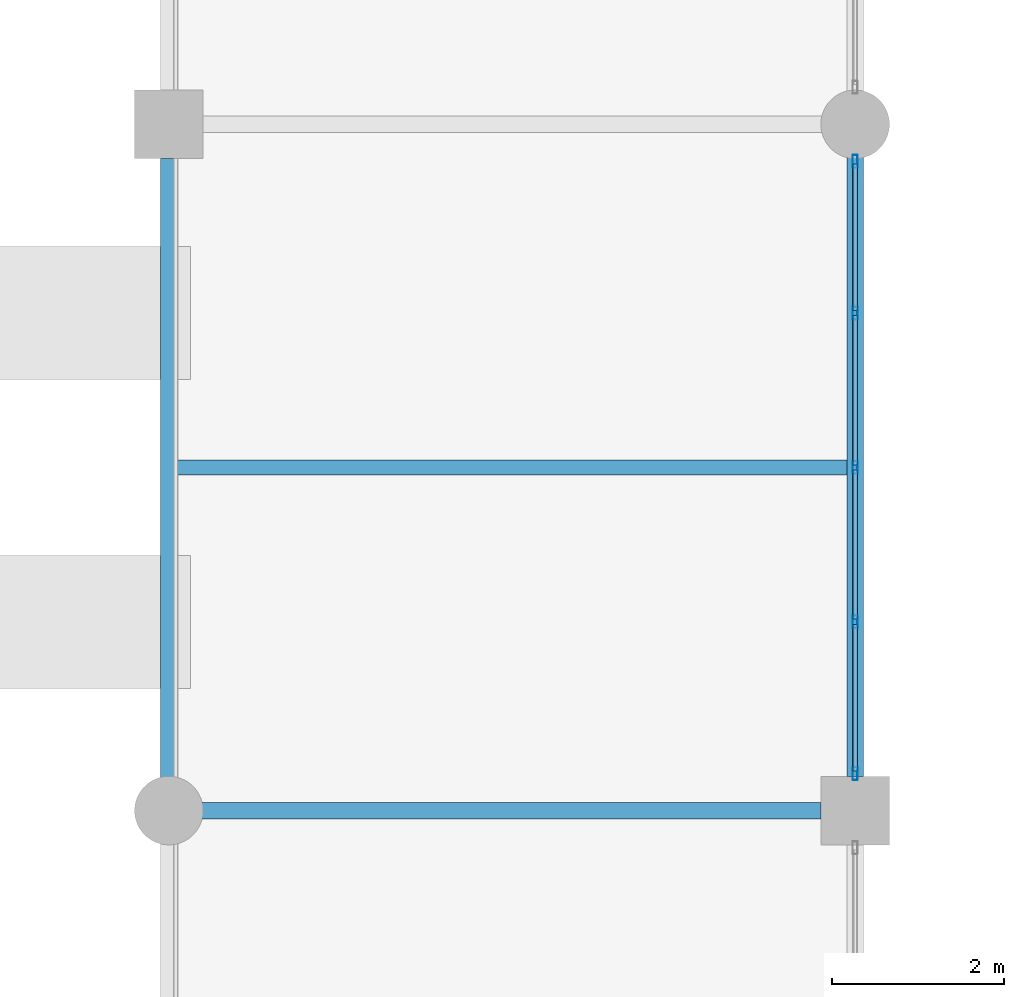
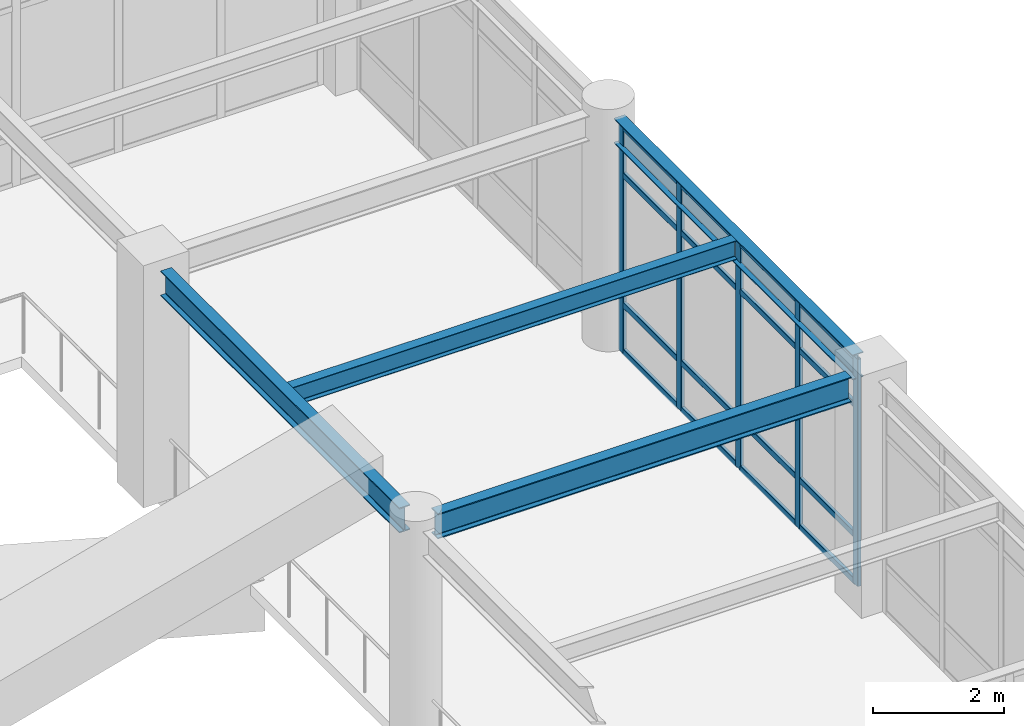
# One storey, part 33 of 78: 21 members, 4 beams, 1 element without a shape of its own.
"""IFC4 building model written with IfcOpenShell, lengths in metres."""

from ifc_helpers import new_model, si_unit, direction, frame, origin, origin_2d, place, context, subcontext, project, spatial, hollow_rectangle, i_section, extrude, material, material_profile, profile_set, type_object, element, aggregate, save


model = new_model("IFC4")

# Units and contexts
model_context = context("Model", 3, precision=1e-05, world=origin(), true_north=direction((0.0, 1.0)))
body_context = subcontext(model_context, "Body", "Model", "MODEL_VIEW")
ifc_project = project(units=[si_unit("LENGTHUNIT", "METRE"), si_unit("AREAUNIT", "SQUARE_METRE"), si_unit("VOLUMEUNIT", "CUBIC_METRE"), si_unit("PLANEANGLEUNIT", "RADIAN"), si_unit("MASSUNIT", "GRAM", prefix="KILO")], contexts=[model_context])

# Site, building, storey
site_placement = place(None, origin())
site = spatial("IfcSite", under=ifc_project, at=site_placement, CompositionType="ELEMENT")
building_placement = place(site_placement, origin())
building = spatial("IfcBuilding", under=site, at=building_placement, Name="Solmirada Galleria", CompositionType="ELEMENT")
storey_placement = place(building_placement, frame((0.0, 0.0, 23.89990234375)))
storey = spatial("IfcBuildingStorey", under=building, at=storey_placement, Name="L05", CompositionType="ELEMENT", Elevation=23.89990234375)

# Beams
ifc_material_1 = material(Name="Steel S355 / ASTM A992 Grade 50", Category="steel")
ifc_material_profile_1 = material_profile(ifc_material_1, i_section(OverallWidth=0.193115234375, OverallDepth=0.466064453125, WebThickness=0.011474609375, FlangeThickness=0.01904296875, FilletRadius=0.013916015625, at=origin_2d()), Name="W18X65")
ifc_profile_set_1 = profile_set([ifc_material_profile_1], Name="Steel S355 / ASTM A992 Grade 50")
beam_type_1 = type_object("IfcBeamType", Name="BM-GIRD-W18C", PredefinedType="BEAM", material=ifc_profile_set_1)
for number, where, z_axis, x_axis, name in (
    (1, (104.3359375, 56.0, 4.067138671875), (1.0, 0.0, 0.0), (0.0, 1.0, 0.0), "Primary beam L06 X(104..112, 56)"),
    (2, (104.0, 56.3359375, 4.067138671875), (0.0, 1.0, 0.0), (-1.0, 0.0, 0.0), "Primary girder L06 Y(104, 56..64)"),
    (3, (112.0, 56.39990234375, 4.067138671875), (0.0, 1.0, 0.0), (-1.0, 0.0, 0.0), "Primary girder L06 Y(112, 56..64)"),
):
    element("IfcBeam", number, at=place(storey_placement, frame(where, z_axis=z_axis, x_axis=x_axis)), inside=storey, type_object=beam_type_1, Name=name, PredefinedType="BEAM", context=body_context, shape_type="SweptSolid", body=[
        extrude(i_section(OverallWidth=0.193115234375, OverallDepth=0.466064453125, WebThickness=0.011474609375, FlangeThickness=0.01904296875, FilletRadius=0.013916015625, at=origin_2d()), origin(), (0.0, 0.0, 1.0), 7.26416015625),
    ])
ifc_material_profile_2 = material_profile(ifc_material_1, i_section(OverallWidth=0.1708984375, OverallDepth=0.35205078125, WebThickness=0.0068359375, FlangeThickness=0.009765625, FilletRadius=0.010986328125, at=origin_2d()), Name="W14X30")
ifc_profile_set_2 = profile_set([ifc_material_profile_2], Name="Steel S355 / ASTM A992 Grade 50")
beam_type_2 = type_object("IfcBeamType", Name="BM-JST-W14B", PredefinedType="JOIST", material=ifc_profile_set_2)
beam_placement = place(storey_placement, frame((104.096435546875, 60.0, 4.1240234375), z_axis=(1.0, 0.0, 0.0), x_axis=(0.0, 1.0, 0.0)))
element("IfcBeam", 4, at=beam_placement, inside=storey, type_object=beam_type_2, Name="Composite floor joist L06 (104..112, 60.0)", PredefinedType="JOIST", context=body_context, shape_type="SweptSolid", body=[
    extrude(i_section(OverallWidth=0.1708984375, OverallDepth=0.35205078125, WebThickness=0.0068359375, FlangeThickness=0.009765625, FilletRadius=0.010986328125, at=origin_2d()), origin(), (0.0, 0.0, 1.0), 7.80712890625),
])

# Curtain wall, members
ifc_material_2 = material(Name="Impact-resistant low-E double glazing", Category="glass")
curtain_wall_type = type_object("IfcCurtainWallType", Name="CW-FZ3-L05-B4-L072", PredefinedType="NOTDEFINED", material=ifc_material_2)
curtain_wall_placement = place(storey_placement, origin())
curtain_wall = element("IfcCurtainWall", 5, at=curtain_wall_placement, inside=storey, type_object=curtain_wall_type, Name="Terrace and arcade storefront CW-L05-177", PredefinedType="NOTDEFINED")
ifc_material_3 = material(Name="Anodised aluminium framing", Category="aluminium")
ifc_material_profile_3 = material_profile(ifc_material_3, hollow_rectangle(XDim=0.06005859375, YDim=0.14990234375, WallThickness=0.00341796875, InnerFilletRadius=0.00341796875, OuterFilletRadius=0.007080078125, at=origin_2d()), Name="ALU-MULL-150X60")
ifc_profile_set_3 = profile_set([ifc_material_profile_3], Name="Anodised aluminium framing")
member_type_1 = type_object("IfcMemberType", Name="CW-MULL-150", PredefinedType="MULLION", material=ifc_profile_set_3)
member_1_placement = place(storey_placement, frame((112.0, 63.568115234375, 0.0), z_axis=(0.0, 0.0, 1.0), x_axis=(1.0, 0.0, 0.0)))
member_1 = element("IfcMember", 6, at=member_1_placement, type_object=member_type_1, Name="CW33 mullion 1", PredefinedType="MULLION", context=body_context, shape_type="SweptSolid", body=[
    extrude(hollow_rectangle(XDim=0.06005859375, YDim=0.14990234375, WallThickness=0.00341796875, InnerFilletRadius=0.00341796875, OuterFilletRadius=0.007080078125, at=origin_2d()), origin(), (0.0, 0.0, 1.0), 4.22021484375),
])
member_2_placement = place(storey_placement, frame((112.0, 61.799072265625, 0.0), z_axis=(0.0, 0.0, 1.0), x_axis=(1.0, 0.0, 0.0)))
member_2 = element("IfcMember", 7, at=member_2_placement, type_object=member_type_1, Name="CW33 mullion 2", PredefinedType="MULLION", context=body_context, shape_type="SweptSolid", body=[
    extrude(hollow_rectangle(XDim=0.06005859375, YDim=0.14990234375, WallThickness=0.00341796875, InnerFilletRadius=0.00341796875, OuterFilletRadius=0.007080078125, at=origin_2d()), origin(), (0.0, 0.0, 1.0), 4.22021484375),
])
member_3_placement = place(storey_placement, frame((112.0, 60.0, 0.0), z_axis=(0.0, 0.0, 1.0), x_axis=(1.0, 0.0, 0.0)))
member_3 = element("IfcMember", 8, at=member_3_placement, type_object=member_type_1, Name="CW33 mullion 3", PredefinedType="MULLION", context=body_context, shape_type="SweptSolid", body=[
    extrude(hollow_rectangle(XDim=0.06005859375, YDim=0.14990234375, WallThickness=0.00341796875, InnerFilletRadius=0.00341796875, OuterFilletRadius=0.007080078125, at=origin_2d()), origin(), (0.0, 0.0, 1.0), 4.22021484375),
])
member_4_placement = place(storey_placement, frame((112.0, 58.200927734375, 0.0), z_axis=(0.0, 0.0, 1.0), x_axis=(1.0, 0.0, 0.0)))
member_4 = element("IfcMember", 9, at=member_4_placement, type_object=member_type_1, Name="CW33 mullion 4", PredefinedType="MULLION", context=body_context, shape_type="SweptSolid", body=[
    extrude(hollow_rectangle(XDim=0.06005859375, YDim=0.14990234375, WallThickness=0.00341796875, InnerFilletRadius=0.00341796875, OuterFilletRadius=0.007080078125, at=origin_2d()), origin(), (0.0, 0.0, 1.0), 4.22021484375),
])
member_5_placement = place(storey_placement, frame((112.0, 56.431884765625, 0.0), z_axis=(0.0, 0.0, 1.0), x_axis=(1.0, 0.0, 0.0)))
member_5 = element("IfcMember", 10, at=member_5_placement, type_object=member_type_1, Name="CW33 mullion 5", PredefinedType="MULLION", context=body_context, shape_type="SweptSolid", body=[
    extrude(hollow_rectangle(XDim=0.06005859375, YDim=0.14990234375, WallThickness=0.00341796875, InnerFilletRadius=0.00341796875, OuterFilletRadius=0.007080078125, at=origin_2d()), origin(), (0.0, 0.0, 1.0), 4.22021484375),
])
ifc_material_profile_4 = material_profile(ifc_material_3, hollow_rectangle(XDim=0.06005859375, YDim=0.110107421875, WallThickness=0.003173828125, InnerFilletRadius=0.003173828125, OuterFilletRadius=0.00634765625, at=origin_2d()), Name="ALU-TRAN-110X60")
ifc_profile_set_4 = profile_set([ifc_material_profile_4], Name="Anodised aluminium framing")
member_type_2 = type_object("IfcMemberType", Name="CW-TRAN-110", PredefinedType="USERDEFINED", material=ifc_profile_set_4)
member_6_placement = place(storey_placement, frame((112.0, 63.5380859375, 0.030029296875), z_axis=(0.0, -1.0, 0.0), x_axis=(1.0, 0.0, 0.0)))
member_6 = element("IfcMember", 11, at=member_6_placement, type_object=member_type_2, Name="CW33 transom 1.1", ObjectType="TRANSOM", PredefinedType="USERDEFINED", context=body_context, shape_type="SweptSolid", body=[
    extrude(hollow_rectangle(XDim=0.06005859375, YDim=0.110107421875, WallThickness=0.003173828125, InnerFilletRadius=0.003173828125, OuterFilletRadius=0.00634765625, at=origin_2d()), origin(), (0.0, 0.0, 1.0), 1.708984375),
])
member_7_placement = place(storey_placement, frame((112.0, 63.5380859375, 0.900146484375), z_axis=(0.0, -1.0, 0.0), x_axis=(1.0, 0.0, 0.0)))
member_7 = element("IfcMember", 12, at=member_7_placement, type_object=member_type_2, Name="CW33 transom 1.2", ObjectType="TRANSOM", PredefinedType="USERDEFINED", context=body_context, shape_type="SweptSolid", body=[
    extrude(hollow_rectangle(XDim=0.06005859375, YDim=0.110107421875, WallThickness=0.003173828125, InnerFilletRadius=0.003173828125, OuterFilletRadius=0.00634765625, at=origin_2d()), origin(), (0.0, 0.0, 1.0), 1.708984375),
])
member_8_placement = place(storey_placement, frame((112.0, 63.5380859375, 3.31005859375), z_axis=(0.0, -1.0, 0.0), x_axis=(1.0, 0.0, 0.0)))
member_8 = element("IfcMember", 13, at=member_8_placement, type_object=member_type_2, Name="CW33 transom 1.3", ObjectType="TRANSOM", PredefinedType="USERDEFINED", context=body_context, shape_type="SweptSolid", body=[
    extrude(hollow_rectangle(XDim=0.06005859375, YDim=0.110107421875, WallThickness=0.003173828125, InnerFilletRadius=0.003173828125, OuterFilletRadius=0.00634765625, at=origin_2d()), origin(), (0.0, 0.0, 1.0), 1.708984375),
])
member_9_placement = place(storey_placement, frame((112.0, 63.5380859375, 4.190185546875), z_axis=(0.0, -1.0, 0.0), x_axis=(1.0, 0.0, 0.0)))
member_9 = element("IfcMember", 14, at=member_9_placement, type_object=member_type_2, Name="CW33 transom 1.4", ObjectType="TRANSOM", PredefinedType="USERDEFINED", context=body_context, shape_type="SweptSolid", body=[
    extrude(hollow_rectangle(XDim=0.06005859375, YDim=0.110107421875, WallThickness=0.003173828125, InnerFilletRadius=0.003173828125, OuterFilletRadius=0.00634765625, at=origin_2d()), origin(), (0.0, 0.0, 1.0), 1.708984375),
])
member_10_placement = place(storey_placement, frame((112.0, 61.76904296875, 0.030029296875), z_axis=(0.0, -1.0, 0.0), x_axis=(1.0, 0.0, 0.0)))
member_10 = element("IfcMember", 15, at=member_10_placement, type_object=member_type_2, Name="CW33 transom 2.1", ObjectType="TRANSOM", PredefinedType="USERDEFINED", context=body_context, shape_type="SweptSolid", body=[
    extrude(hollow_rectangle(XDim=0.06005859375, YDim=0.110107421875, WallThickness=0.003173828125, InnerFilletRadius=0.003173828125, OuterFilletRadius=0.00634765625, at=origin_2d()), origin(), (0.0, 0.0, 1.0), 1.739013671875),
])
member_11_placement = place(storey_placement, frame((112.0, 61.76904296875, 0.900146484375), z_axis=(0.0, -1.0, 0.0), x_axis=(1.0, 0.0, 0.0)))
member_11 = element("IfcMember", 16, at=member_11_placement, type_object=member_type_2, Name="CW33 transom 2.2", ObjectType="TRANSOM", PredefinedType="USERDEFINED", context=body_context, shape_type="SweptSolid", body=[
    extrude(hollow_rectangle(XDim=0.06005859375, YDim=0.110107421875, WallThickness=0.003173828125, InnerFilletRadius=0.003173828125, OuterFilletRadius=0.00634765625, at=origin_2d()), origin(), (0.0, 0.0, 1.0), 1.739013671875),
])
member_12_placement = place(storey_placement, frame((112.0, 61.76904296875, 3.31005859375), z_axis=(0.0, -1.0, 0.0), x_axis=(1.0, 0.0, 0.0)))
member_12 = element("IfcMember", 17, at=member_12_placement, type_object=member_type_2, Name="CW33 transom 2.3", ObjectType="TRANSOM", PredefinedType="USERDEFINED", context=body_context, shape_type="SweptSolid", body=[
    extrude(hollow_rectangle(XDim=0.06005859375, YDim=0.110107421875, WallThickness=0.003173828125, InnerFilletRadius=0.003173828125, OuterFilletRadius=0.00634765625, at=origin_2d()), origin(), (0.0, 0.0, 1.0), 1.739013671875),
])
member_13_placement = place(storey_placement, frame((112.0, 61.76904296875, 4.190185546875), z_axis=(0.0, -1.0, 0.0), x_axis=(1.0, 0.0, 0.0)))
member_13 = element("IfcMember", 18, at=member_13_placement, type_object=member_type_2, Name="CW33 transom 2.4", ObjectType="TRANSOM", PredefinedType="USERDEFINED", context=body_context, shape_type="SweptSolid", body=[
    extrude(hollow_rectangle(XDim=0.06005859375, YDim=0.110107421875, WallThickness=0.003173828125, InnerFilletRadius=0.003173828125, OuterFilletRadius=0.00634765625, at=origin_2d()), origin(), (0.0, 0.0, 1.0), 1.739013671875),
])
member_14_placement = place(storey_placement, frame((112.0, 59.969970703125, 0.030029296875), z_axis=(0.0, -1.0, 0.0), x_axis=(1.0, 0.0, 0.0)))
member_14 = element("IfcMember", 19, at=member_14_placement, type_object=member_type_2, Name="CW33 transom 3.1", ObjectType="TRANSOM", PredefinedType="USERDEFINED", context=body_context, shape_type="SweptSolid", body=[
    extrude(hollow_rectangle(XDim=0.06005859375, YDim=0.110107421875, WallThickness=0.003173828125, InnerFilletRadius=0.003173828125, OuterFilletRadius=0.00634765625, at=origin_2d()), origin(), (0.0, 0.0, 1.0), 1.739013671875),
])
member_15_placement = place(storey_placement, frame((112.0, 59.969970703125, 0.900146484375), z_axis=(0.0, -1.0, 0.0), x_axis=(1.0, 0.0, 0.0)))
member_15 = element("IfcMember", 20, at=member_15_placement, type_object=member_type_2, Name="CW33 transom 3.2", ObjectType="TRANSOM", PredefinedType="USERDEFINED", context=body_context, shape_type="SweptSolid", body=[
    extrude(hollow_rectangle(XDim=0.06005859375, YDim=0.110107421875, WallThickness=0.003173828125, InnerFilletRadius=0.003173828125, OuterFilletRadius=0.00634765625, at=origin_2d()), origin(), (0.0, 0.0, 1.0), 1.739013671875),
])
member_16_placement = place(storey_placement, frame((112.0, 59.969970703125, 3.31005859375), z_axis=(0.0, -1.0, 0.0), x_axis=(1.0, 0.0, 0.0)))
member_16 = element("IfcMember", 21, at=member_16_placement, type_object=member_type_2, Name="CW33 transom 3.3", ObjectType="TRANSOM", PredefinedType="USERDEFINED", context=body_context, shape_type="SweptSolid", body=[
    extrude(hollow_rectangle(XDim=0.06005859375, YDim=0.110107421875, WallThickness=0.003173828125, InnerFilletRadius=0.003173828125, OuterFilletRadius=0.00634765625, at=origin_2d()), origin(), (0.0, 0.0, 1.0), 1.739013671875),
])
member_17_placement = place(storey_placement, frame((112.0, 59.969970703125, 4.190185546875), z_axis=(0.0, -1.0, 0.0), x_axis=(1.0, 0.0, 0.0)))
member_17 = element("IfcMember", 22, at=member_17_placement, type_object=member_type_2, Name="CW33 transom 3.4", ObjectType="TRANSOM", PredefinedType="USERDEFINED", context=body_context, shape_type="SweptSolid", body=[
    extrude(hollow_rectangle(XDim=0.06005859375, YDim=0.110107421875, WallThickness=0.003173828125, InnerFilletRadius=0.003173828125, OuterFilletRadius=0.00634765625, at=origin_2d()), origin(), (0.0, 0.0, 1.0), 1.739013671875),
])
member_18_placement = place(storey_placement, frame((112.0, 58.1708984375, 0.030029296875), z_axis=(0.0, -1.0, 0.0), x_axis=(1.0, 0.0, 0.0)))
member_18 = element("IfcMember", 23, at=member_18_placement, type_object=member_type_2, Name="CW33 transom 4.1", ObjectType="TRANSOM", PredefinedType="USERDEFINED", context=body_context, shape_type="SweptSolid", body=[
    extrude(hollow_rectangle(XDim=0.06005859375, YDim=0.110107421875, WallThickness=0.003173828125, InnerFilletRadius=0.003173828125, OuterFilletRadius=0.00634765625, at=origin_2d()), origin(), (0.0, 0.0, 1.0), 1.708984375),
])
member_19_placement = place(storey_placement, frame((112.0, 58.1708984375, 0.900146484375), z_axis=(0.0, -1.0, 0.0), x_axis=(1.0, 0.0, 0.0)))
member_19 = element("IfcMember", 24, at=member_19_placement, type_object=member_type_2, Name="CW33 transom 4.2", ObjectType="TRANSOM", PredefinedType="USERDEFINED", context=body_context, shape_type="SweptSolid", body=[
    extrude(hollow_rectangle(XDim=0.06005859375, YDim=0.110107421875, WallThickness=0.003173828125, InnerFilletRadius=0.003173828125, OuterFilletRadius=0.00634765625, at=origin_2d()), origin(), (0.0, 0.0, 1.0), 1.708984375),
])
member_20_placement = place(storey_placement, frame((112.0, 58.1708984375, 3.31005859375), z_axis=(0.0, -1.0, 0.0), x_axis=(1.0, 0.0, 0.0)))
member_20 = element("IfcMember", 25, at=member_20_placement, type_object=member_type_2, Name="CW33 transom 4.3", ObjectType="TRANSOM", PredefinedType="USERDEFINED", context=body_context, shape_type="SweptSolid", body=[
    extrude(hollow_rectangle(XDim=0.06005859375, YDim=0.110107421875, WallThickness=0.003173828125, InnerFilletRadius=0.003173828125, OuterFilletRadius=0.00634765625, at=origin_2d()), origin(), (0.0, 0.0, 1.0), 1.708984375),
])
member_21_placement = place(storey_placement, frame((112.0, 58.1708984375, 4.190185546875), z_axis=(0.0, -1.0, 0.0), x_axis=(1.0, 0.0, 0.0)))
member_21 = element("IfcMember", 26, at=member_21_placement, type_object=member_type_2, Name="CW33 transom 4.4", ObjectType="TRANSOM", PredefinedType="USERDEFINED", context=body_context, shape_type="SweptSolid", body=[
    extrude(hollow_rectangle(XDim=0.06005859375, YDim=0.110107421875, WallThickness=0.003173828125, InnerFilletRadius=0.003173828125, OuterFilletRadius=0.00634765625, at=origin_2d()), origin(), (0.0, 0.0, 1.0), 1.708984375),
])
aggregate(curtain_wall, [member_1, member_2, member_3, member_4, member_5, member_6, member_7, member_8, member_9, member_10, member_11, member_12, member_13, member_14, member_15, member_16, member_17, member_18, member_19, member_20, member_21])

save(model, "model.ifc")
